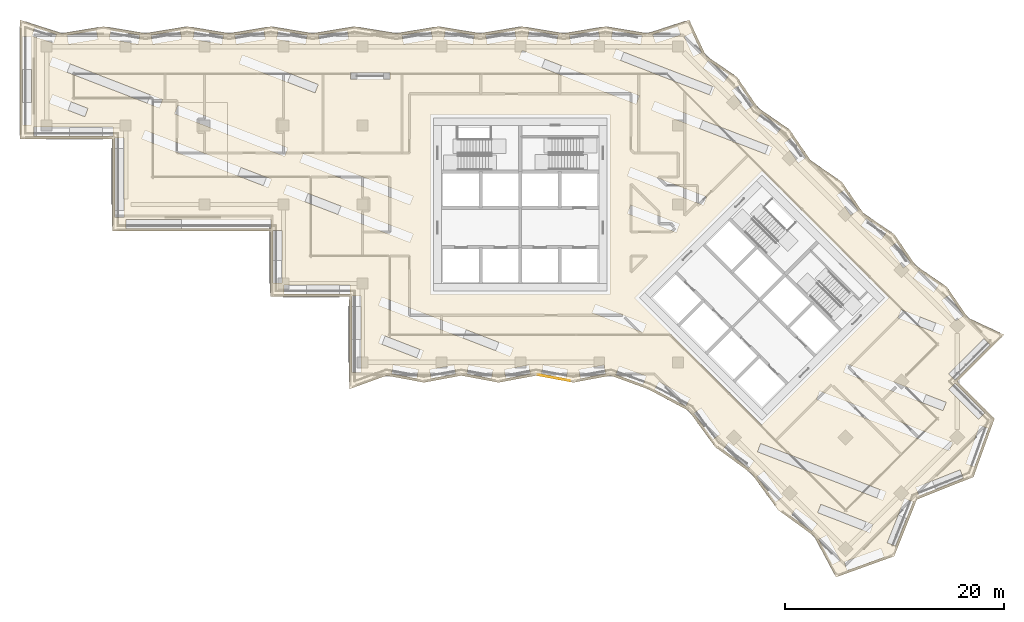
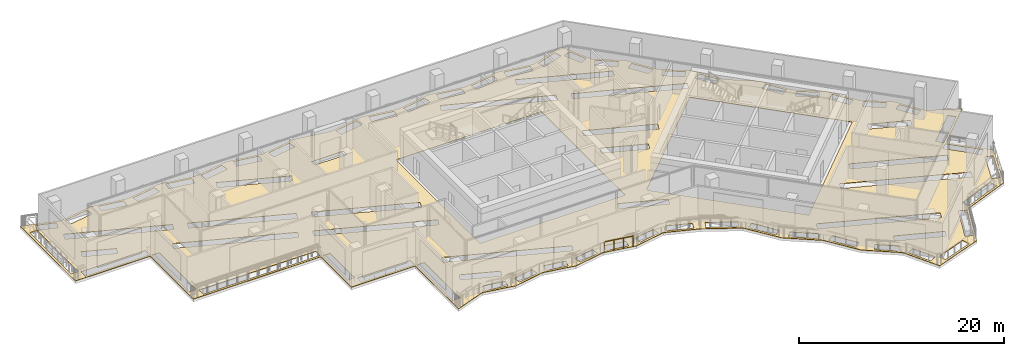
# One storey, part 16 of 23: 1 covering, 1 railing.
"""IFC4 building model written with IfcOpenShell, lengths in metres."""

import ifcopenshell
import ifcopenshell.guid

model = None  # the IFC model being written
_history = None  # IfcOwnerHistory: only IFC2X3 demands one
_inside = {}  # id of a spatial element -> (the spatial element, [elements in it])
_under = {}  # id of a project, library or spatial element -> (it, [spatial elements below it])
_declared = {}  # id of a project -> (the project, [libraries it declares])
_typed = {}  # id of a type object -> (the type object, [elements of that type])
_made_of = {}  # id of a material, layer set ... -> (it, [elements and type objects made of it])


def new_model(schema):
    """Start an empty IFC model of exactly this schema.

    Asked for "IFC4X3", IfcOpenShell would pick the latest addendum, in which some entities
    have other attributes; the version numbers below select the first issue.
    IFC2X3 requires an IfcOwnerHistory on every rooted entity: one is made here for all.
    """
    global model, _history
    if schema == "IFC4X3":
        model = ifcopenshell.file(schema_version=(4, 3, 0, 0))
    else:
        model = ifcopenshell.file(schema=schema)
    _inside.clear()
    _under.clear()
    _declared.clear()
    _typed.clear()
    _made_of.clear()
    _history = None
    if model.schema == "IFC2X3":
        org = make("IfcOrganization", Name="unknown")
        user = make(
            "IfcPersonAndOrganization",
            ThePerson=make("IfcPerson", FamilyName="unknown"),
            TheOrganization=org,
        )
        app = make(
            "IfcApplication",
            ApplicationDeveloper=org,
            Version="unknown",
            ApplicationFullName="unknown",
            ApplicationIdentifier="unknown",
        )
        _history = make(
            "IfcOwnerHistory",
            OwningUser=user,
            OwningApplication=app,
            ChangeAction="ADDED",
            CreationDate=0,
        )
    return model


def make(cls, **values):
    """One entity of the class cls with the attributes given. An attribute that is None is left unset."""
    return model.create_entity(
        cls, **{name: value for name, value in values.items() if value is not None}
    )


def rooted(cls, **values):
    """An entity with a GlobalId (a new one), such as an element, a storey or a relation."""
    return make(cls, GlobalId=ifcopenshell.guid.new(), OwnerHistory=_history, **values)


def si_unit(unit_type, name, prefix=None):
    """IfcSIUnit, for example si_unit("LENGTHUNIT", "METRE", prefix="MILLI")."""
    return make("IfcSIUnit", UnitType=unit_type, Prefix=prefix, Name=name)


def assignment(units):
    """IfcUnitAssignment: the units of a project."""
    return None if units is None else make("IfcUnitAssignment", Units=units)


def point(xyz):
    """IfcCartesianPoint."""
    return None if xyz is None else make("IfcCartesianPoint", Coordinates=xyz)


def direction(xyz):
    """IfcDirection."""
    return None if xyz is None else make("IfcDirection", DirectionRatios=xyz)


def frame(location, z_axis=None, x_axis=None):
    """IfcAxis2Placement3D, a coordinate frame: its origin and axes. An axis left out is left unset."""
    return make(
        "IfcAxis2Placement3D",
        Location=point(location),
        Axis=direction(z_axis),
        RefDirection=direction(x_axis),
    )


def frame_2d(location, x_axis=None):
    """IfcAxis2Placement2D, a coordinate frame in the plane: its origin and x axis."""
    return make(
        "IfcAxis2Placement2D", Location=point(location), RefDirection=direction(x_axis)
    )


def origin():
    """The frame at (0, 0, 0) with its axes left unset."""
    return frame((0.0, 0.0, 0.0))


def origin_2d():
    """The frame at (0, 0) in the plane with its x axis left unset."""
    return frame_2d((0.0, 0.0))


def place(relative_to, where):
    """IfcLocalPlacement: puts the frame where relative to a parent placement (None: the world)."""
    return make(
        "IfcLocalPlacement", PlacementRelTo=relative_to, RelativePlacement=where
    )


def context(
    kind, dimensions, precision=None, world=None, true_north=None, identifier=None
):
    """IfcGeometricRepresentationContext, for example the 3D "Model" context."""
    return make(
        "IfcGeometricRepresentationContext",
        ContextIdentifier=identifier,
        ContextType=kind,
        CoordinateSpaceDimension=dimensions,
        Precision=precision,
        WorldCoordinateSystem=world,
        TrueNorth=true_north,
    )


def subcontext(parent, identifier, kind, view, scale=None):
    """IfcGeometricRepresentationSubContext, for example "Body" below "Model"."""
    return make(
        "IfcGeometricRepresentationSubContext",
        ContextIdentifier=identifier,
        ContextType=kind,
        ParentContext=parent,
        TargetScale=scale,
        TargetView=view,
    )


def project(units=None, contexts=None):
    """IfcProject with its units and contexts."""
    return rooted(
        "IfcProject",
        Name="project",
        RepresentationContexts=contexts,
        UnitsInContext=assignment(units),
    )


def spatial(cls, under=None, at=None, **own):
    """A site, building, storey or space (cls), placed at a placement, below another one or the project."""
    s = rooted(cls, ObjectPlacement=at, **own)
    if under is not None:
        _under.setdefault(under.id(), (under, []))[1].append(s)
    return s


def polyline(points):
    """IfcPolyline through the points."""
    return make("IfcPolyline", Points=[point(p) for p in points])


def profile(cls, at=None, kind="AREA", **sizes):
    """A parametric profile (cls). Its sizes go by their IFC names, for example OverallWidth=200.0."""
    return make(cls, ProfileType=kind, Position=at, **sizes)


def circle(**sizes):
    """IfcCircleProfileDef."""
    return profile("IfcCircleProfileDef", **sizes)


def outline(outer, holes=None, kind="AREA"):
    """IfcArbitraryClosedProfileDef: a profile drawn as a closed curve; with holes, ...WithVoids."""
    if holes is None:
        return make("IfcArbitraryClosedProfileDef", ProfileType=kind, OuterCurve=outer)
    return make(
        "IfcArbitraryProfileDefWithVoids",
        ProfileType=kind,
        OuterCurve=outer,
        InnerCurves=holes,
    )


def extrude(swept, where, along, depth):
    """IfcExtrudedAreaSolid: the profile swept, set in the frame where, extruded along a direction by depth."""
    return make(
        "IfcExtrudedAreaSolid",
        SweptArea=swept,
        Position=where,
        ExtrudedDirection=direction(along),
        Depth=depth,
    )


def shape(context_of_items, identifier, shape_type, items):
    """IfcShapeRepresentation: the items that make up one representation, for example the "Body"."""
    return make(
        "IfcShapeRepresentation",
        ContextOfItems=context_of_items,
        RepresentationIdentifier=identifier,
        RepresentationType=shape_type,
        Items=items,
    )


def material(Name=None, Category=None):
    """IfcMaterial."""
    return make("IfcMaterial", Name=Name, Category=Category)


def layer(
    of_material, thickness, ventilated=None, Name=None, Category=None, Priority=None
):
    """IfcMaterialLayer: one layer of a wall or slab, of a material (None: an air gap)."""
    return make(
        "IfcMaterialLayer",
        Material=of_material,
        LayerThickness=thickness,
        IsVentilated=ventilated,
        Name=Name,
        Category=Category,
        Priority=Priority,
    )


def layer_set(layers, Name=None):
    """IfcMaterialLayerSet."""
    return make("IfcMaterialLayerSet", MaterialLayers=layers, LayerSetName=Name)


def made_of(thing, what):
    """Note that an element or type object is made of a material, layer set ...; save() writes the relation."""
    if what is not None:
        _made_of.setdefault(what.id(), (what, []))[1].append(thing)
    return thing


def type_object(cls, material=None, **own):
    """A type object (cls), such as IfcWallType, which elements share."""
    return made_of(rooted(cls, **own), material)


def element(
    cls,
    number,
    at=None,
    inside=None,
    cuts=None,
    type_object=None,
    material=None,
    context=None,
    identifier="Body",
    shape_type=None,
    held_by="IfcProductDefinitionShape",
    body=None,
    shapes=None,
    **own,
):
    """One element of the class cls, such as IfcWall. Its Tag is "e" and its number.

    at: its placement. inside: the storey or other place that contains it. cuts: it is an
    opening in that element (IfcRelVoidsElement). A single representation is given by context,
    identifier, shape_type and body (its items); several are given by shapes. held_by: the class
    of the entity that holds the representations. save() writes the other relations.
    """
    e = rooted(cls, Tag="e%d" % number, ObjectPlacement=at, **own)
    if body is not None:
        shapes = [shape(context, identifier, shape_type, body)]
    if shapes is not None:
        e.Representation = make(held_by, Representations=shapes)
    if inside is not None:
        _inside.setdefault(inside.id(), (inside, []))[1].append(e)
    if cuts is not None:
        rooted(
            "IfcRelVoidsElement", RelatingBuildingElement=cuts, RelatedOpeningElement=e
        )
    if type_object is not None:
        _typed.setdefault(type_object.id(), (type_object, []))[1].append(e)
    return made_of(e, material)


def aggregate(whole, parts):
    """IfcRelAggregates: a whole, such as a stair, and the parts it consists of."""
    return rooted("IfcRelAggregates", RelatingObject=whole, RelatedObjects=parts)


def save(model, path):
    """Write the relations noted so far, then the file.

    IfcRelAggregates (storeys below a building ...), IfcRelContainedInSpatialStructure (elements
    in a storey), IfcRelDefinesByType, IfcRelAssociatesMaterial and IfcRelDeclares: one each for
    every whole, place, type object, material and project.
    """
    for whole, parts in _under.values():
        aggregate(whole, parts)
    for where, things in _inside.values():
        rooted(
            "IfcRelContainedInSpatialStructure",
            RelatedElements=things,
            RelatingStructure=where,
        )
    for kind, things in _typed.values():
        rooted("IfcRelDefinesByType", RelatedObjects=things, RelatingType=kind)
    for what, things in _made_of.values():
        rooted("IfcRelAssociatesMaterial", RelatedObjects=things, RelatingMaterial=what)
    for by, libraries in _declared.values():
        rooted("IfcRelDeclares", RelatingContext=by, RelatedDefinitions=libraries)
    model.write(path)


model = new_model("IFC4")

# Units and contexts
model_context = context("Model", 3, precision=1e-05, world=origin(), true_north=direction((0.0, 1.0)))
body_context = subcontext(model_context, "Body", "Model", "MODEL_VIEW")
ifc_project = project(units=[si_unit("LENGTHUNIT", "METRE"), si_unit("AREAUNIT", "SQUARE_METRE"), si_unit("VOLUMEUNIT", "CUBIC_METRE"), si_unit("PLANEANGLEUNIT", "RADIAN"), si_unit("MASSUNIT", "GRAM", prefix="KILO")], contexts=[model_context])

# Site, building, storey
site_placement = place(None, origin())
site = spatial("IfcSite", under=ifc_project, at=site_placement, CompositionType="ELEMENT")
building_placement = place(site_placement, origin())
building = spatial("IfcBuilding", under=site, at=building_placement, Name="Windrow Commons", CompositionType="ELEMENT")
storey_placement = place(building_placement, frame((0.0, 0.0, 122.0)))
storey = spatial("IfcBuildingStorey", under=building, at=storey_placement, Name="L33", CompositionType="ELEMENT", Elevation=122.0)

# Railing
ifc_material_1 = material(Name="Stainless steel S316 balustrade with toughened glass infill", Category="steel")
railing_type = type_object("IfcRailingType", Name="Terrace guard 1200 podium", PredefinedType="BALUSTRADE", material=ifc_material_1)
railing_placement = place(storey_placement, frame((69.358, 41.5206, 0.05)))
element("IfcRailing", 1, at=railing_placement, inside=storey, type_object=railing_type, Name="Guard TR-L33-1.C68", PredefinedType="BALUSTRADE", context=body_context, shape_type="SweptSolid", body=[
    extrude(circle(Radius=0.025, at=origin_2d()), frame((0.0, 0.0, 1.175), z_axis=(-0.983167158, 0.1827083454, 0.0), x_axis=(-0.1827083454, -0.983167158, 0.0)), (0.0, 0.0, 1.0), 2.996),
    extrude(circle(Radius=0.02, at=origin_2d()), origin(), (0.0, 0.0, 1.0), 1.15),
    extrude(circle(Radius=0.02, at=origin_2d()), frame((-0.9819, 0.1825, 0.0)), (0.0, 0.0, 1.0), 1.15),
    extrude(circle(Radius=0.02, at=origin_2d()), frame((-1.9637, 0.3649, 0.0)), (0.0, 0.0, 1.0), 1.15),
    extrude(circle(Radius=0.02, at=origin_2d()), frame((-2.9456, 0.5474, 0.0)), (0.0, 0.0, 1.0), 1.15),
])

# Covering
ifc_material_2 = material(Name="Granite paving", Category="masonry")
ifc_layer = layer(ifc_material_2, 0.05)
ifc_layer_set = layer_set([ifc_layer], Name="Terrace paving 50")
covering_type = type_object("IfcCoveringType", Name="Terrace paving 50", PredefinedType="FLOORING", material=ifc_layer_set)
covering_placement = place(storey_placement, origin())
element("IfcCovering", 2, at=covering_placement, inside=storey, type_object=covering_type, Name="Terrace paving TR-L33-1", PredefinedType="FLOORING", context=body_context, shape_type="SweptSolid", body=[
    extrude(outline(polyline([(85.8963, 33.0596), (82.5918, 35.4732), (80.1782, 38.7777), (76.4494, 40.767), (73.0432, 42.0), (69.6371, 41.367), (66.2309, 42.0), (62.8247, 41.367), (59.4185, 42.0), (56.0124, 41.367), (52.6062, 42.0), (49.2, 40.767), (49.2, 49.2), (42.0, 49.2), (42.0, 55.167), (27.6, 55.167), (27.6, 63.6), (19.167, 63.6), (19.167, 74.433), (22.9818, 73.2), (26.7966, 73.833), (30.6114, 73.2), (34.4261, 73.833), (38.2409, 73.2), (42.0557, 73.833), (45.8705, 73.2), (49.6853, 73.833), (53.5001, 73.2), (57.3149, 73.833), (61.1297, 73.2), (64.9444, 73.833), (68.7592, 73.2), (72.574, 73.833), (76.3888, 73.2), (78.2962, 73.8165), (80.2036, 74.433), (81.7269, 71.1702), (84.5653, 69.2227), (86.5129, 66.3842), (89.3514, 64.4367), (91.2989, 61.5982), (92.0689, 61.0699), (94.1374, 59.6507), (96.0849, 56.8122), (98.9234, 54.8646), (100.871, 52.0261), (103.7095, 50.0786), (105.657, 47.2401), (108.9198, 45.7168), (104.6558, 41.453), (108.05, 38.0589), (106.1355, 32.7503), (100.9683, 30.6944), (98.9124, 25.5272), (93.6038, 23.6127), (91.6144, 27.3415), (88.8285, 29.3763), (88.3099, 29.755), (85.8963, 33.0596)]), holes=[polyline([(55.3476, 41.7346), (55.4974, 42.5408), (53.216, 42.9649), (53.0662, 42.1587), (55.3476, 41.7346)]), polyline([(52.1674, 45.7294), (51.8719, 44.9645), (55.6564, 43.5024), (55.9519, 44.2674), (52.1674, 45.7294)]), polyline([(49.44, 42.2936), (50.26, 42.2936), (50.26, 49.25), (49.44, 49.25), (49.44, 42.2936)]), polyline([(49.25, 49.44), (49.25, 50.26), (43.25, 50.26), (43.25, 49.44), (49.25, 49.44)]), polyline([(42.24, 50.45), (43.06, 50.45), (43.06, 55.217), (42.24, 55.217), (42.24, 50.45)]), polyline([(42.05, 55.407), (42.05, 56.227), (28.85, 56.227), (28.85, 55.407), (42.05, 55.407)]), polyline([(43.4974, 59.3704), (43.2019, 58.6054), (54.7326, 54.1508), (55.0281, 54.9157), (43.4974, 59.3704)]), polyline([(55.0281, 58.3462), (44.9964, 62.2217), (44.7009, 61.4568), (54.7326, 57.5813), (55.0281, 58.3462)]), polyline([(27.84, 63.65), (27.84, 56.417), (28.66, 56.417), (28.66, 63.65), (27.84, 63.65)]), polyline([(30.5674, 64.3655), (30.2719, 63.6006), (41.8026, 59.146), (42.0981, 59.9109), (30.5674, 64.3655)]), polyline([(27.65, 63.84), (27.65, 64.66), (20.417, 64.66), (20.417, 63.84), (27.65, 63.84)]), polyline([(33.5654, 66.6378), (33.2699, 65.8729), (43.3016, 61.9974), (43.5971, 62.7623), (33.5654, 66.6378)]), polyline([(22.1344, 67.6234), (21.8389, 66.8585), (25.0762, 65.6078), (25.3717, 66.3727), (22.1344, 67.6234)]), polyline([(22.1344, 71.0539), (21.8389, 70.289), (31.8706, 66.4135), (32.1661, 67.1784), (22.1344, 71.0539)]), polyline([(19.407, 64.85), (20.227, 64.85), (20.227, 72.9398), (19.407, 72.9398), (19.407, 64.85)]), polyline([(52.9029, 69.65), (49.3029, 69.65), (49.3029, 69.0), (52.9029, 69.0), (52.9029, 69.65)]), polyline([(46.3713, 68.5516), (39.454, 71.2239), (39.1585, 70.459), (46.0758, 67.7867), (46.3713, 68.5516)]), polyline([(26.1376, 73.4804), (23.4571, 73.0356), (23.5913, 72.2266), (26.2718, 72.6714), (26.1376, 73.4804)]), polyline([(38.7657, 73.0438), (38.8999, 72.2348), (41.5309, 72.6714), (41.3967, 73.4804), (38.7657, 73.0438)]), polyline([(35.0851, 73.4804), (34.9509, 72.6714), (37.5819, 72.2348), (37.7161, 73.0438), (35.0851, 73.4804)]), polyline([(42.7147, 73.4804), (42.5805, 72.6714), (45.2115, 72.2348), (45.3457, 73.0438), (42.7147, 73.4804)]), polyline([(31.1362, 73.0438), (31.2704, 72.2348), (33.9013, 72.6714), (33.7671, 73.4804), (31.1362, 73.0438)]), polyline([(46.3953, 73.0438), (46.5295, 72.2348), (49.1605, 72.6714), (49.0263, 73.4804), (46.3953, 73.0438)]), polyline([(27.4556, 73.4804), (27.3214, 72.6714), (29.9524, 72.2348), (30.0866, 73.0438), (27.4556, 73.4804)]), polyline([(20.514, 73.7454), (20.2618, 72.9651), (22.2353, 72.3273), (22.4875, 73.1076), (20.514, 73.7454)]), polyline([(80.6382, 38.5549), (82.372, 36.1811), (83.0342, 36.6647), (81.3004, 39.0385), (80.6382, 38.5549)]), polyline([(77.0507, 40.7182), (79.893, 39.2019), (80.279, 39.9254), (77.4367, 41.4417), (77.0507, 40.7182)]), polyline([(76.0106, 41.1811), (76.2897, 41.9521), (73.8019, 42.8527), (73.5228, 42.0817), (76.0106, 41.1811)]), polyline([(58.9035, 42.1484), (58.7537, 42.9546), (56.5274, 42.5408), (56.6772, 41.7346), (58.9035, 42.1484)]), polyline([(62.1599, 41.7346), (62.3097, 42.5408), (60.0833, 42.9546), (59.9335, 42.1484), (62.1599, 41.7346)]), polyline([(63.4895, 41.7346), (65.7159, 42.1484), (65.5661, 42.9546), (63.3397, 42.5408), (63.4895, 41.7346)]), polyline([(66.7459, 42.1484), (68.9723, 41.7346), (69.1221, 42.5408), (66.8957, 42.9546), (66.7459, 42.1484)]), polyline([(72.5832, 42.1587), (72.4334, 42.9649), (70.1521, 42.5408), (70.3019, 41.7346), (72.5832, 42.1587)]), polyline([(52.1674, 49.1599), (51.8719, 48.395), (63.8647, 43.7619), (64.1602, 44.5268), (52.1674, 49.1599)]), polyline([(71.6554, 48.4922), (71.3599, 47.7273), (75.9889, 45.939), (76.2844, 46.7039), (71.6554, 48.4922)]), polyline([(79.3243, 55.821), (74.8674, 57.5428), (74.5719, 56.7779), (79.0288, 55.0561), (79.3243, 55.821)]), polyline([(73.0, 49.4), (73.0, 65.8), (56.6, 65.8), (56.6, 49.4), (73.0, 49.4)]), polyline([(74.8674, 60.9733), (74.5719, 60.2084), (81.5034, 57.5306), (81.7989, 58.2955), (74.8674, 60.9733)]), polyline([(77.0646, 66.9854), (76.7691, 66.2205), (87.468, 62.0873), (87.7635, 62.8522), (77.0646, 66.9854)]), polyline([(64.9665, 71.6592), (64.671, 70.8943), (75.3699, 66.7611), (75.6654, 67.526), (64.9665, 71.6592)]), polyline([(73.5449, 71.7757), (73.2494, 71.0108), (82.2212, 67.5447), (82.5167, 68.3096), (73.5449, 71.7757)]), polyline([(81.9396, 70.7332), (81.4757, 70.0571), (83.3711, 68.7566), (83.835, 69.4327), (81.9396, 70.7332)]), polyline([(80.4827, 73.2678), (79.7397, 72.9209), (80.5876, 71.1048), (81.3306, 71.4517), (80.4827, 73.2678)]), polyline([(73.233, 73.4804), (73.0988, 72.6714), (75.7793, 72.2266), (75.9135, 73.0356), (73.233, 73.4804)]), polyline([(56.6559, 73.4804), (54.0249, 73.0438), (54.1591, 72.2348), (56.7901, 72.6714), (56.6559, 73.4804)]), polyline([(71.915, 73.4804), (69.284, 73.0438), (69.4182, 72.2348), (72.0492, 72.6714), (71.915, 73.4804)]), polyline([(61.6545, 73.0438), (61.7887, 72.2348), (64.4196, 72.6714), (64.2854, 73.4804), (61.6545, 73.0438)]), polyline([(57.9739, 73.4804), (57.8397, 72.6714), (60.4707, 72.2348), (60.6049, 73.0438), (57.9739, 73.4804)]), polyline([(65.6034, 73.4804), (65.4692, 72.6714), (68.1002, 72.2348), (68.2344, 73.0438), (65.6034, 73.4804)]), polyline([(76.8831, 73.1076), (77.1353, 72.3273), (79.4126, 73.0633), (79.1604, 73.8436), (76.8831, 73.1076)]), polyline([(97.9913, 25.4502), (97.7131, 26.2215), (94.3378, 25.0042), (94.616, 24.2329), (97.9913, 25.4502)]), polyline([(93.2683, 24.7514), (93.9918, 25.1374), (92.7621, 27.4423), (92.0386, 27.0563), (93.2683, 24.7514)]), polyline([(100.627, 30.4857), (99.8651, 30.7889), (98.2575, 26.7485), (99.0194, 26.4453), (100.627, 30.4857)]), polyline([(89.4545, 29.2162), (91.3916, 27.8015), (91.8752, 28.4637), (89.9381, 29.8784), (89.4545, 29.2162)]), polyline([(96.9705, 28.4209), (92.2184, 30.2567), (91.9228, 29.4918), (96.675, 27.6559), (96.9705, 28.4209)]), polyline([(88.09, 30.4629), (88.7522, 30.9465), (87.0465, 33.2821), (86.3843, 32.7985), (88.09, 30.4629)]), polyline([(105.2174, 32.6433), (104.9142, 33.4052), (100.8738, 31.7976), (101.177, 31.0357), (105.2174, 32.6433)]), polyline([(86.7286, 35.8081), (86.4331, 35.0431), (97.8581, 30.6294), (98.1536, 31.3943), (86.7286, 35.8081)]), polyline([(85.6352, 33.5476), (86.1188, 34.2098), (83.7833, 35.9156), (83.2997, 35.2534), (85.6352, 33.5476)]), polyline([(107.4806, 37.1876), (106.7093, 37.4658), (105.4412, 33.9496), (106.2125, 33.6714), (107.4806, 37.1876)]), polyline([(92.1109, 40.5897), (91.8154, 39.8248), (103.9374, 35.1418), (104.2329, 35.9067), (92.1109, 40.5897)]), polyline([(104.4507, 41.3187), (103.8709, 40.7388), (106.5843, 38.0254), (107.1641, 38.6053), (104.4507, 41.3187)]), polyline([(103.6487, 39.5629), (94.5855, 43.0642), (94.29, 42.2993), (103.3532, 38.798), (103.6487, 39.5629)]), polyline([(104.4507, 41.5873), (107.6697, 44.8061), (107.0899, 45.386), (103.8709, 42.1672), (104.4507, 41.5873)]), polyline([(99.5345, 48.0133), (99.239, 47.2484), (103.208, 45.715), (103.5035, 46.48), (99.5345, 48.0133)]), polyline([(103.9195, 49.3483), (103.2434, 48.8844), (104.5438, 46.9889), (105.2199, 47.4528), (103.9195, 49.3483)]), polyline([(98.4333, 49.0897), (86.8368, 60.6863), (75.2402, 49.0897), (86.8368, 37.4932), (98.4333, 49.0897)]), polyline([(102.9792, 50.2886), (101.1302, 51.5572), (100.6663, 50.8811), (102.5153, 49.6125), (102.9792, 50.2886)]), polyline([(100.4021, 52.2853), (99.1334, 54.1343), (98.4573, 53.6704), (99.726, 51.8214), (100.4021, 52.2853)]), polyline([(96.3441, 56.3433), (95.8802, 55.6672), (97.7292, 54.3985), (98.1931, 55.0746), (96.3441, 56.3433)]), polyline([(94.3474, 58.9204), (93.6713, 58.4565), (94.9399, 56.6075), (95.616, 57.0714), (94.3474, 58.9204)]), polyline([(89.5614, 63.7064), (88.8853, 63.2425), (90.1539, 61.3935), (90.83, 61.8574), (89.5614, 63.7064)]), polyline([(88.6211, 64.6467), (86.7721, 65.9153), (86.3082, 65.2392), (88.1572, 63.9706), (88.6211, 64.6467)]), polyline([(86.044, 66.6434), (84.7753, 68.4924), (84.0992, 68.0285), (85.3679, 66.1795), (86.044, 66.6434)])]), origin(), (0.0, 0.0, 1.0), 0.05),
])

save(model, "model.ifc")
